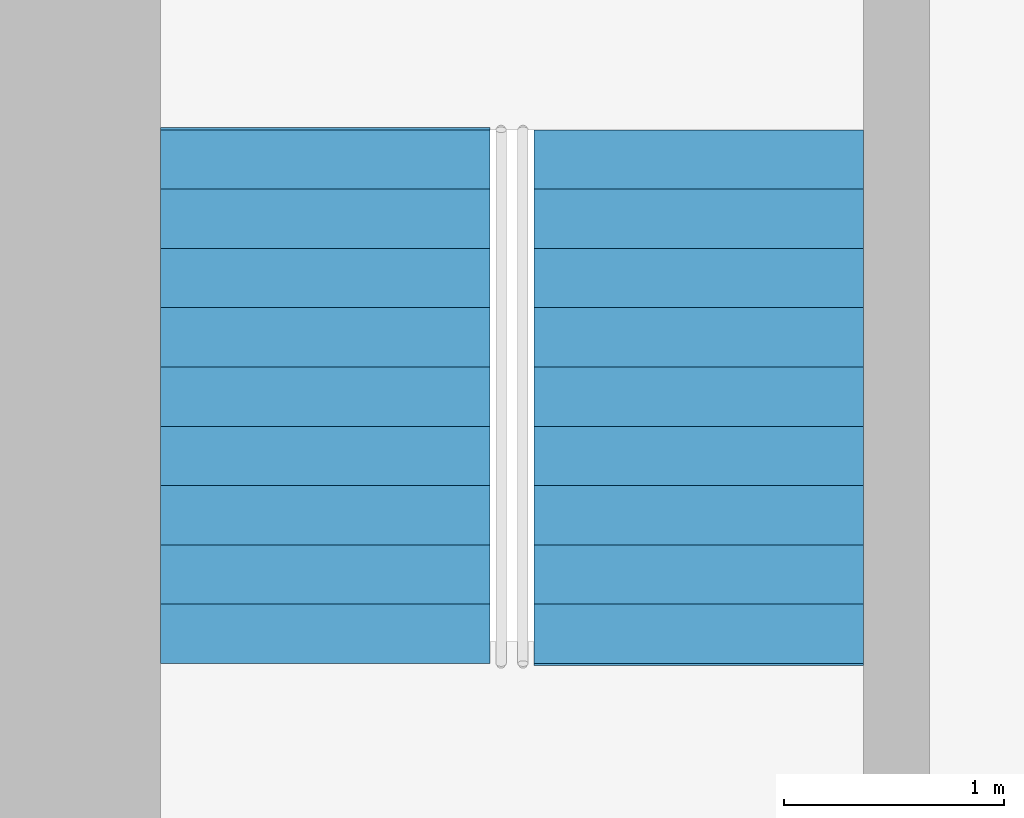
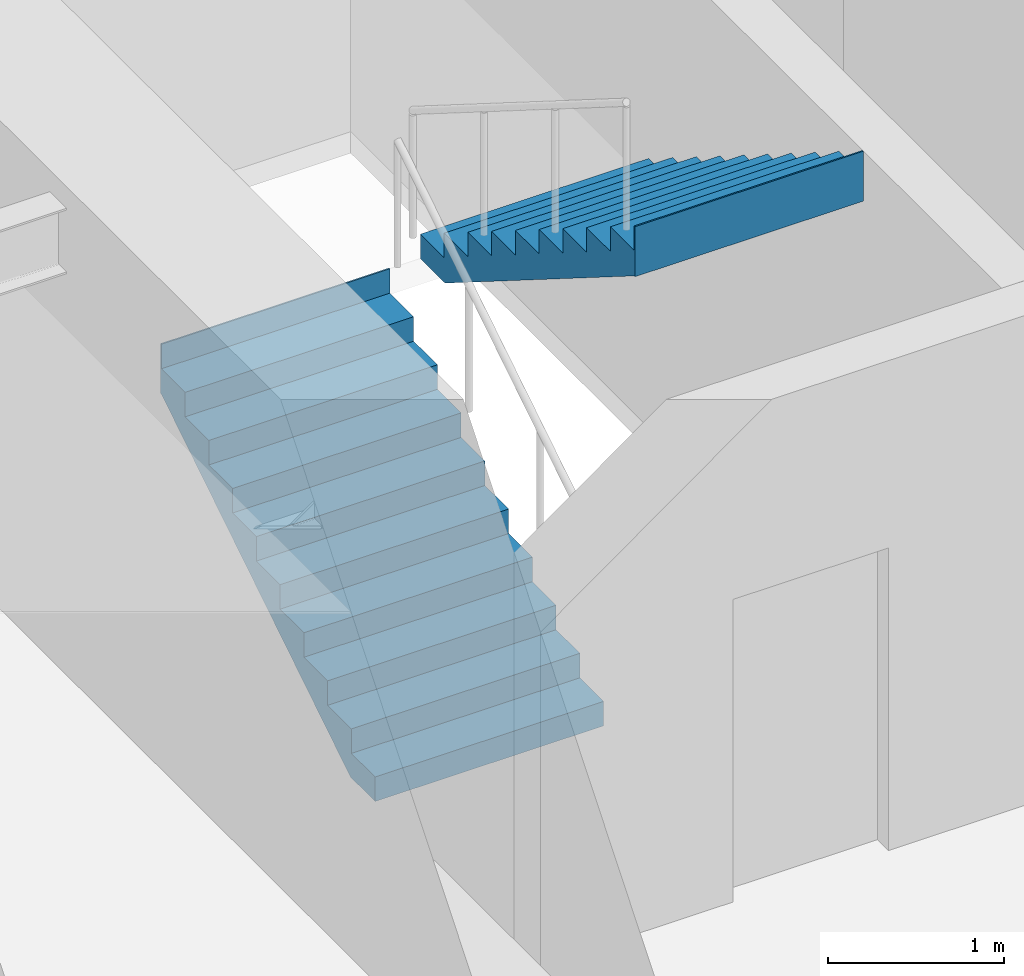
# One storey, part 12 of 13: 2 stair flights, 1 element without a shape of its own.
"""IFC4 building model written with IfcOpenShell, lengths in metres."""

from ifc_helpers import new_model, si_unit, direction, frame, origin, place, context, subcontext, project, spatial, polyline, outline, extrude, material, type_object, element, aggregate, save


model = new_model("IFC4")

# Units and contexts
model_context = context("Model", 3, precision=1e-05, world=origin(), true_north=direction((0.0, 1.0)))
body_context = subcontext(model_context, "Body", "Model", "MODEL_VIEW")
ifc_project = project(units=[si_unit("LENGTHUNIT", "METRE"), si_unit("AREAUNIT", "SQUARE_METRE"), si_unit("VOLUMEUNIT", "CUBIC_METRE"), si_unit("PLANEANGLEUNIT", "RADIAN"), si_unit("MASSUNIT", "GRAM", prefix="KILO")], contexts=[model_context])

# Site, building, storey
site_placement = place(None, origin())
site = spatial("IfcSite", under=ifc_project, at=site_placement, CompositionType="ELEMENT")
building_placement = place(site_placement, origin())
building = spatial("IfcBuilding", under=site, at=building_placement, Name="Torsade Residences", CompositionType="ELEMENT")
storey_placement = place(building_placement, frame((0.0, 0.0, 157.39990234375)))
storey = spatial("IfcBuildingStorey", under=building, at=storey_placement, Name="L43", CompositionType="ELEMENT", Elevation=157.39990234375)

# Stair, stair flights
ifc_material_1 = material(Name="Precast concrete 40 MPa", Category="concrete")
stair_type = type_object("IfcStairType", Name="HALF-TURN FIRE STAIR 1500x3400", PredefinedType="HALF_TURN_STAIR", material=ifc_material_1)
stair_placement = place(storey_placement, origin())
stair = element("IfcStair", 1, at=stair_placement, inside=storey, type_object=stair_type, Name="Stair ST1 L43", PredefinedType="HALF_TURN_STAIR")
ifc_material_2 = material(Name="Precast concrete 40 MPa", Category="concrete")
stair_flight_type = type_object("IfcStairFlightType", Name="PRECAST STAIR FLIGHT 1500x1700", PredefinedType="STRAIGHT", material=ifc_material_2)
stair_flight_1_placement = place(storey_placement, frame((29.550048828125, 33.780029296875, 0.0), z_axis=(0.0, 0.0, 1.0), x_axis=(0.0, 1.0, 0.0)))
stair_flight_1 = element("IfcStairFlight", 2, at=stair_flight_1_placement, type_object=stair_flight_type, Name="ST1 flight 1", NumberOfRisers=10, NumberOfTreads=9, PredefinedType="STRAIGHT", RiserHeight=0.17, TreadLength=0.27, context=body_context, shape_type="SweptSolid", body=[
    extrude(outline(polyline([(0.0, 0.0), (0.0, 0.169921875), (0.27001953125, 0.169921875), (0.27001953125, 0.340087890625), (0.5400390625, 0.340087890625), (0.5400390625, 0.510009765625), (0.81005859375, 0.510009765625), (0.81005859375, 0.679931640625), (1.080078125, 0.679931640625), (1.080078125, 0.85009765625), (1.35009765625, 0.85009765625), (1.35009765625, 1.02001953125), (1.6201171875, 1.02001953125), (1.6201171875, 1.18994140625), (1.889892578125, 1.18994140625), (1.889892578125, 1.360107421875), (2.159912109375, 1.360107421875), (2.159912109375, 1.530029296875), (2.429931640625, 1.530029296875), (2.429931640625, 1.699951171875), (2.43994140625, 1.699951171875), (2.43994140625, 1.352783203125), (2.429931640625, 1.352783203125), (0.28125, 0.0), (0.0, 0.0)])), frame((0.0, 0.75, 0.0), z_axis=(0.0, -1.0, 0.0), x_axis=(1.0, 0.0, 0.0)), (0.0, 0.0, 1.0), 1.5),
])
stair_flight_2_placement = place(storey_placement, frame((31.25, 36.2099609375, 1.7001953125), z_axis=(0.0, 0.0, 1.0), x_axis=(0.0, -1.0, 0.0)))
stair_flight_2 = element("IfcStairFlight", 3, at=stair_flight_2_placement, type_object=stair_flight_type, Name="ST1 flight 2", NumberOfRisers=10, NumberOfTreads=9, PredefinedType="STRAIGHT", RiserHeight=0.17, TreadLength=0.27, context=body_context, shape_type="SweptSolid", body=[
    extrude(outline(polyline([(0.0, 0.0), (0.0, 0.169921875), (0.27001953125, 0.169921875), (0.27001953125, 0.340087890625), (0.5400390625, 0.340087890625), (0.5400390625, 0.510009765625), (0.81005859375, 0.510009765625), (0.81005859375, 0.679931640625), (1.080078125, 0.679931640625), (1.080078125, 0.85009765625), (1.35009765625, 0.85009765625), (1.35009765625, 1.02001953125), (1.6201171875, 1.02001953125), (1.6201171875, 1.18994140625), (1.889892578125, 1.18994140625), (1.889892578125, 1.360107421875), (2.159912109375, 1.360107421875), (2.159912109375, 1.530029296875), (2.429931640625, 1.530029296875), (2.429931640625, 1.699951171875), (2.43994140625, 1.699951171875), (2.43994140625, 1.352783203125), (2.429931640625, 1.352783203125), (0.28125, 0.0), (0.0, 0.0)])), frame((0.0, 0.75, 0.0), z_axis=(0.0, -1.0, 0.0), x_axis=(1.0, 0.0, 0.0)), (0.0, 0.0, 1.0), 1.5),
])
aggregate(stair, [stair_flight_1, stair_flight_2])

save(model, "model.ifc")
